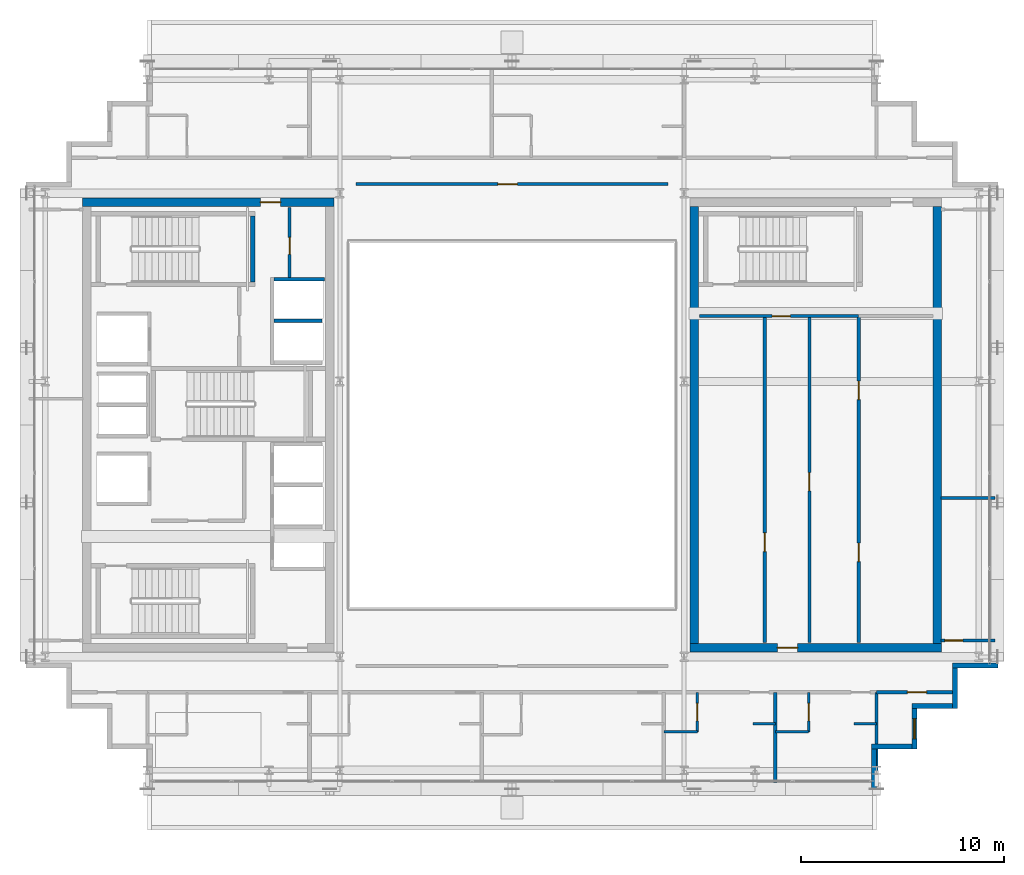
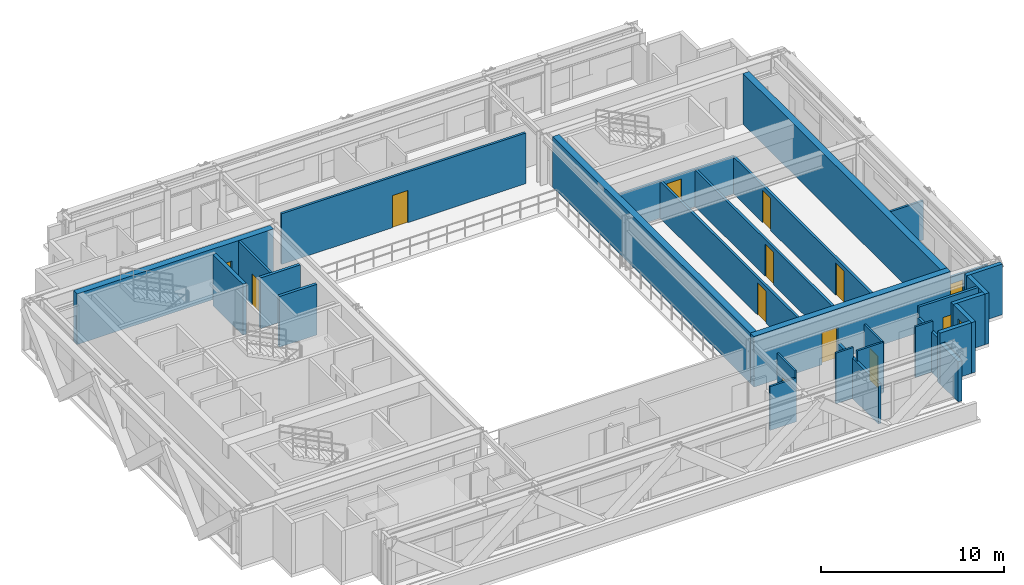
# One storey, part 21 of 27: 30 walls, 13 doors, 1 window, 14 openings.
"""IFC4 building model written with IfcOpenShell, lengths in metres."""

from ifc_helpers import new_model, si_unit, direction, frame, frame_2d, origin, place, context, subcontext, project, spatial, rectangle, extrude, source, transform, mapped, material, layer, layer_set, type_object, element, fill, save


model = new_model("IFC4")

# Units and contexts
model_context = context("Model", 3, precision=1e-05, world=origin(), true_north=direction((0.0, 1.0)))
body_context = subcontext(model_context, "Body", "Model", "MODEL_VIEW")
ifc_project = project(units=[si_unit("LENGTHUNIT", "METRE"), si_unit("AREAUNIT", "SQUARE_METRE"), si_unit("VOLUMEUNIT", "CUBIC_METRE"), si_unit("PLANEANGLEUNIT", "RADIAN"), si_unit("MASSUNIT", "GRAM", prefix="KILO")], contexts=[model_context])

# Site, building, storey
site_placement = place(None, origin())
site = spatial("IfcSite", under=ifc_project, at=site_placement, CompositionType="ELEMENT")
building_placement = place(site_placement, origin())
building = spatial("IfcBuilding", under=site, at=building_placement, Name="Ocotamira Hotel", CompositionType="ELEMENT")
storey_placement = place(building_placement, frame((0.0, 0.0, 232.800048828125)))
storey = spatial("IfcBuildingStorey", under=building, at=storey_placement, Name="L58", CompositionType="ELEMENT", Elevation=232.800048828125)

# Wall, opening, door
ifc_material_1 = material(Name="Concrete C50/60", Category="concrete")
ifc_layer_1 = layer(ifc_material_1, 0.39990234375)
ifc_layer_set_1 = layer_set([ifc_layer_1], Name="Concrete C50/60")
wall_type_1 = type_object("IfcWallType", Name="WL-CORE-400", PredefinedType="SHEAR", material=ifc_layer_set_1)
wall_1_placement = place(storey_placement, frame((10.800048828125, 37.0, 0.0), z_axis=(0.0, 0.0, 1.0), x_axis=(1.0, 0.0, 0.0)))
wall_1 = element("IfcWall", 1, at=wall_1_placement, inside=storey, type_object=wall_type_1, Name="L58 Shear Core Wall WCORE-N", PredefinedType="SHEAR", context=body_context, shape_type="SweptSolid", body=[
    extrude(rectangle(XDim=12.39990234375, YDim=0.39990234375, at=frame_2d((6.199951171875, 0.0))), origin(), (0.0, 0.0, 1.0), 3.3798828125),
])
opening_1_placement = place(wall_1_placement, frame((8.780029296875, 0.0, 0.0)))
opening_1 = element("IfcOpeningElement", 2, at=opening_1_placement, cuts=wall_1, Name="Opening D-FR2", PredefinedType="OPENING", context=body_context, shape_type="SweptSolid", body=[
    extrude(rectangle(XDim=1.0, YDim=2.14990234375, at=frame_2d((0.5, 1.074951171875))), frame((0.0, 0.2099609375, 0.0), z_axis=(0.0, -1.0, 0.0), x_axis=(1.0, 0.0, 0.0)), (0.0, 0.0, 1.0), 0.419921875),
])
ifc_material_2 = material(Name="Fire-rated acoustic timber-veneer door", Category="wood")
door_type_1 = type_object("IfcDoorType", Name="DR-FIRE-1000", OperationType="NOTDEFINED", PredefinedType="DOOR", material=ifc_material_2)
shared_shape_1 = source(origin(), body_context, "Body", "SweptSolid", [
    extrude(rectangle(XDim=1.0, YDim=2.14990234375, at=frame_2d((0.5, 1.074951171875))), frame((0.0, 0.02490234375, 0.0), z_axis=(0.0, -1.0, 0.0), x_axis=(1.0, 0.0, 0.0)), (0.0, 0.0, 1.0), 0.050048828125),
])
door_1_placement = place(opening_1_placement, origin())
door_1 = element("IfcDoor", 3, at=door_1_placement, inside=storey, type_object=door_type_1, Name="L58 Door ID-L58-WLOB-N-D [ID-L58-WLOB-N-D]", OperationType="SINGLE_SWING_RIGHT", OverallHeight=2.14990234375, OverallWidth=1.0, PredefinedType="DOOR", context=body_context, shape_type="MappedRepresentation", body=[
    mapped(shared_shape_1, transform((0.0, 0.0, 0.0), scale=1.0)),
])
fill(opening_1, door_1)

wall_2_placement = place(storey_placement, frame((40.800048828125, 15.0, 0.0), z_axis=(0.0, 0.0, 1.0), x_axis=(1.0, 0.0, 0.0)))
wall_2 = element("IfcWall", 4, at=wall_2_placement, inside=storey, type_object=wall_type_1, Name="L58 Shear Core Wall ECORE-S", PredefinedType="SHEAR", context=body_context, shape_type="SweptSolid", body=[
    extrude(rectangle(XDim=12.39990234375, YDim=0.39990234375, at=frame_2d((6.199951171875, 0.0))), origin(), (0.0, 0.0, 1.0), 3.3798828125),
])
opening_2_placement = place(wall_2_placement, frame((4.300048828125, 0.0, 0.0)))
opening_2 = element("IfcOpeningElement", 5, at=opening_2_placement, cuts=wall_2, Name="Opening D-FR2", PredefinedType="OPENING", context=body_context, shape_type="SweptSolid", body=[
    extrude(rectangle(XDim=1.0, YDim=2.14990234375, at=frame_2d((0.5, 1.074951171875))), frame((0.0, 0.2099609375, 0.0), z_axis=(0.0, -1.0, 0.0), x_axis=(1.0, 0.0, 0.0)), (0.0, 0.0, 1.0), 0.419921875),
])
door_2_placement = place(opening_2_placement, origin())
door_2 = element("IfcDoor", 6, at=door_2_placement, inside=storey, type_object=door_type_1, Name="L58 Door ID-L58-ELOB-S-D [ID-L58-ELOB-S-D]", OperationType="SINGLE_SWING_RIGHT", OverallHeight=2.14990234375, OverallWidth=1.0, PredefinedType="DOOR", context=body_context, shape_type="MappedRepresentation", body=[
    mapped(shared_shape_1, transform((0.0, 0.0, 0.0), scale=1.0)),
])
fill(opening_2, door_2)

# Walls
for number, where, z_axis, x_axis, name in (
    (7, (41.0, 15.199951171875, 0.0), (0.0, 0.0, 1.0), (0.0, 1.0, 0.0), "L58 Shear Core Wall ECORE-W"),
    (8, (53.0, 15.199951171875, 0.0), (0.0, 0.0, 1.0), (0.0, 1.0, 0.0), "L58 Shear Core Wall ECORE-E"),
):
    element("IfcWall", number, at=place(storey_placement, frame(where, z_axis=z_axis, x_axis=x_axis)), inside=storey, type_object=wall_type_1, Name=name, PredefinedType="SHEAR", context=body_context, shape_type="SweptSolid", body=[
        extrude(rectangle(XDim=21.60009765625, YDim=0.39990234375, at=frame_2d((10.800048828125, 0.0))), origin(), (0.0, 0.0, 1.0), 3.3798828125),
    ])
ifc_material_3 = material(Name="Precast concrete C45/55", Category="concrete")
ifc_layer_2 = layer(ifc_material_3, 0.25)
ifc_layer_set_2 = layer_set([ifc_layer_2], Name="Precast concrete C45/55")
wall_type_2 = type_object("IfcWallType", Name="WL-EXT-SER-250", PredefinedType="SOLIDWALL", material=ifc_layer_set_2)
wall_3_placement = place(storey_placement, frame((49.875, 8.0, 0.0), z_axis=(0.0, 0.0, 1.0), x_axis=(0.0, 1.0, 0.0)))
element("IfcWall", 9, at=wall_3_placement, inside=storey, type_object=wall_type_2, Name="L58 Serrated Corner Wall 01", PredefinedType="SOLIDWALL", context=body_context, shape_type="SweptSolid", body=[
    extrude(rectangle(XDim=2.0, YDim=0.25, at=frame_2d((1.0, 0.0))), origin(), (0.0, 0.0, 1.0), 2.68701171875),
])
wall_4_placement = place(storey_placement, frame((49.75, 10.125, 0.0), z_axis=(0.0, 0.0, 1.0), x_axis=(1.0, 0.0, 0.0)))
element("IfcWall", 10, at=wall_4_placement, inside=storey, type_object=wall_type_2, Name="L58 Serrated Corner Wall 02", PredefinedType="SOLIDWALL", context=body_context, shape_type="SweptSolid", body=[
    extrude(rectangle(XDim=2.0, YDim=0.25, at=frame_2d((1.0, 0.0))), origin(), (0.0, 0.0, 1.0), 3.3798828125),
])

# Wall, opening, window
wall_5_placement = place(storey_placement, frame((51.875, 10.0, 0.0), z_axis=(0.0, 0.0, 1.0), x_axis=(0.0, 1.0, 0.0)))
wall_5 = element("IfcWall", 11, at=wall_5_placement, inside=storey, type_object=wall_type_2, Name="L58 Serrated Corner Wall 03", PredefinedType="SOLIDWALL", context=body_context, shape_type="SweptSolid", body=[
    extrude(rectangle(XDim=2.0, YDim=0.25, at=frame_2d((1.0, 0.0))), origin(), (0.0, 0.0, 1.0), 3.3798828125),
])
opening_3_placement = place(wall_5_placement, frame((0.5, 0.0, 0.85009765625)))
opening_3 = element("IfcOpeningElement", 12, at=opening_3_placement, cuts=wall_5, Name="Opening WN-2", PredefinedType="OPENING", context=body_context, shape_type="SweptSolid", body=[
    extrude(rectangle(XDim=1.0, YDim=1.89990234375, at=frame_2d((0.5, 0.949951171875))), frame((0.0, 0.135009765625, 0.0), z_axis=(0.0, -1.0, 0.0), x_axis=(1.0, 0.0, 0.0)), (0.0, 0.0, 1.0), 0.27001953125),
])
ifc_material_4 = material(Name="Double-silver low-E solar glass", Category="glass")
window_type = type_object("IfcWindowType", Name="WIN-SER-1100", PartitioningType="SINGLE_PANEL", PredefinedType="WINDOW", material=ifc_material_4)
shared_shape_2 = source(origin(), body_context, "Body", "SweptSolid", [
    extrude(rectangle(XDim=1.0, YDim=1.89990234375, at=frame_2d((0.5, 0.949951171875))), frame((0.0, 0.030029296875, 0.0), z_axis=(0.0, -1.0, 0.0), x_axis=(1.0, 0.0, 0.0)), (0.0, 0.0, 1.0), 0.06005859375),
])
window_placement = place(opening_3_placement, origin())
window = element("IfcWindow", 13, at=window_placement, inside=storey, type_object=window_type, Name="L58 Serrated Corner Window 03", OverallHeight=1.89990234375, OverallWidth=1.0, PartitioningType="SINGLE_PANEL", PredefinedType="WINDOW", context=body_context, shape_type="MappedRepresentation", body=[
    mapped(shared_shape_2, transform((0.0, 0.0, 0.0), scale=1.0)),
])
fill(opening_3, window)

# Walls
for number, where, z_axis, x_axis, name in (
    (14, (51.75, 12.125, 0.0), (0.0, 0.0, 1.0), (1.0, 0.0, 0.0), "L58 Serrated Corner Wall 04"),
    (15, (53.875, 12.0, 0.0), (0.0, 0.0, 1.0), (0.0, 1.0, 0.0), "L58 Serrated Corner Wall 05"),
):
    element("IfcWall", number, at=place(storey_placement, frame(where, z_axis=z_axis, x_axis=x_axis)), inside=storey, type_object=wall_type_2, Name=name, PredefinedType="SOLIDWALL", context=body_context, shape_type="SweptSolid", body=[
        extrude(rectangle(XDim=2.0, YDim=0.25, at=frame_2d((1.0, 0.0))), origin(), (0.0, 0.0, 1.0), 3.3798828125),
    ])
wall_6_placement = place(storey_placement, frame((53.75, 14.125, 0.0), z_axis=(0.0, 0.0, 1.0), x_axis=(1.0, 0.0, 0.0)))
element("IfcWall", 16, at=wall_6_placement, inside=storey, type_object=wall_type_2, Name="L58 Serrated Corner Wall 06", PredefinedType="SOLIDWALL", context=body_context, shape_type="SweptSolid", body=[
    extrude(rectangle(XDim=2.25, YDim=0.25, at=frame_2d((1.125, 0.0))), origin(), (0.0, 0.0, 1.0), 3.3798828125),
])

# Wall, openings, doors
ifc_material_5 = material(Name="Acoustic double-layer fire gypsum board partition", Category="gypsum")
ifc_layer_3 = layer(ifc_material_5, 0.159912109375)
ifc_layer_set_3 = layer_set([ifc_layer_3], Name="Acoustic double-layer fire gypsum board partition")
wall_type_3 = type_object("IfcWallType", Name="WL-FIRE-160", PredefinedType="PARTITIONING", material=ifc_layer_set_3)
wall_7_placement = place(storey_placement, frame((49.1201171875, 15.25, 0.0), z_axis=(0.0, 0.0, 1.0), x_axis=(0.0, 1.0, 0.0)))
wall_7 = element("IfcWall", 17, at=wall_7_placement, inside=storey, type_object=wall_type_3, Name="L58 Interior Wall PW-L58-EC-FLOW-W", PredefinedType="PARTITIONING", context=body_context, shape_type="SweptSolid", body=[
    extrude(rectangle(XDim=16.1298828125, YDim=0.159912109375, at=frame_2d((8.06494140625, 0.0))), origin(), (0.0, 0.0, 1.0), 2.452880859375),
])
opening_4_placement = place(wall_7_placement, frame((4.0, 0.0, 0.0)))
opening_4 = element("IfcOpeningElement", 18, at=opening_4_placement, cuts=wall_7, Name="Opening D-SV3", PredefinedType="OPENING", context=body_context, shape_type="SweptSolid", body=[
    extrude(rectangle(XDim=0.919921875, YDim=2.14990234375, at=frame_2d((0.4599609375, 1.074951171875))), frame((0.0, 0.08984375, 0.0), z_axis=(0.0, -1.0, 0.0), x_axis=(1.0, 0.0, 0.0)), (0.0, 0.0, 1.0), 0.179931640625),
])
opening_5_placement = place(wall_7_placement, frame((12.0, 0.0, 0.0)))
opening_5 = element("IfcOpeningElement", 19, at=opening_5_placement, cuts=wall_7, Name="Opening D-SV3", PredefinedType="OPENING", context=body_context, shape_type="SweptSolid", body=[
    extrude(rectangle(XDim=0.919921875, YDim=2.14990234375, at=frame_2d((0.4599609375, 1.074951171875))), frame((0.0, 0.08984375, 0.0), z_axis=(0.0, -1.0, 0.0), x_axis=(1.0, 0.0, 0.0)), (0.0, 0.0, 1.0), 0.179931640625),
])
ifc_material_6 = material(Name="Fire-rated walnut hospitality door", Category="wood")
door_type_2 = type_object("IfcDoorType", Name="DR-SERV-920", OperationType="NOTDEFINED", PredefinedType="DOOR", material=ifc_material_6)
shared_shape_3 = source(origin(), body_context, "Body", "SweptSolid", [
    extrude(rectangle(XDim=0.919921875, YDim=2.14990234375, at=frame_2d((0.4599609375, 1.074951171875))), frame((0.0, 0.02490234375, 0.0), z_axis=(0.0, -1.0, 0.0), x_axis=(1.0, 0.0, 0.0)), (0.0, 0.0, 1.0), 0.050048828125),
])
door_3_placement = place(opening_4_placement, origin())
door_3 = element("IfcDoor", 20, at=door_3_placement, inside=storey, type_object=door_type_2, Name="L58 Door ID-L58-EC-FLOW-D1 [ID-L58-EC-FLOW-D1]", OperationType="SINGLE_SWING_LEFT", OverallHeight=2.14990234375, OverallWidth=0.919921875, PredefinedType="DOOR", context=body_context, shape_type="MappedRepresentation", body=[
    mapped(shared_shape_3, transform((0.0, 0.0, 0.0), scale=1.0)),
])
fill(opening_4, door_3)
door_4_placement = place(opening_5_placement, origin())
door_4 = element("IfcDoor", 21, at=door_4_placement, inside=storey, type_object=door_type_2, Name="L58 Door ID-L58-EC-FLOW-D2 [ID-L58-EC-FLOW-D2]", OperationType="SINGLE_SWING_RIGHT", OverallHeight=2.14990234375, OverallWidth=0.919921875, PredefinedType="DOOR", context=body_context, shape_type="MappedRepresentation", body=[
    mapped(shared_shape_3, transform((0.0, 0.0, 0.0), scale=1.0)),
])
fill(opening_5, door_4)

# Wall, opening, door
wall_8_placement = place(storey_placement, frame((50.0, 12.800048828125, 0.0), z_axis=(0.0, 0.0, 1.0), x_axis=(1.0, 0.0, 0.0)))
wall_8 = element("IfcWall", 22, at=wall_8_placement, inside=storey, type_object=wall_type_3, Name="L58 Interior Wall PW-L58-Z4CSE-CW", PredefinedType="PARTITIONING", context=body_context, shape_type="SweptSolid", body=[
    extrude(rectangle(XDim=4.0, YDim=0.159912109375, at=frame_2d((2.0, 0.0))), origin(), (0.0, 0.0, 1.0), 3.3798828125),
])
opening_6_placement = place(wall_8_placement, frame((1.52001953125, 0.0, 0.0)))
opening_6 = element("IfcOpeningElement", 23, at=opening_6_placement, cuts=wall_8, Name="Opening D-SV4", PredefinedType="OPENING", context=body_context, shape_type="SweptSolid", body=[
    extrude(rectangle(XDim=0.9599609375, YDim=2.14990234375, at=frame_2d((0.47998046875, 1.074951171875))), frame((0.0, 0.08984375, 0.0), z_axis=(0.0, -1.0, 0.0), x_axis=(1.0, 0.0, 0.0)), (0.0, 0.0, 1.0), 0.179931640625),
])
ifc_material_7 = material(Name="Fire-rated accessible walnut salon door", Category="wood")
door_type_3 = type_object("IfcDoorType", Name="DR-SERV-960", OperationType="NOTDEFINED", PredefinedType="DOOR", material=ifc_material_7)
shared_shape_4 = source(origin(), body_context, "Body", "SweptSolid", [
    extrude(rectangle(XDim=0.9599609375, YDim=2.14990234375, at=frame_2d((0.47998046875, 1.074951171875))), frame((0.0, 0.02490234375, 0.0), z_axis=(0.0, -1.0, 0.0), x_axis=(1.0, 0.0, 0.0)), (0.0, 0.0, 1.0), 0.050048828125),
])
door_5_placement = place(opening_6_placement, origin())
door_5 = element("IfcDoor", 24, at=door_5_placement, inside=storey, type_object=door_type_3, Name="L58 Door ID-L58-Z4CSE-CD [ID-L58-Z4CSE-CD]", OperationType="SINGLE_SWING_LEFT", OverallHeight=2.14990234375, OverallWidth=0.9599609375, PredefinedType="DOOR", context=body_context, shape_type="MappedRepresentation", body=[
    mapped(shared_shape_4, transform((0.0, 0.0, 0.0), scale=1.0)),
])
fill(opening_6, door_5)

ifc_material_8 = material(Name="Moisture-resistant en-suite tile and gypsum partition", Category="gypsum")
ifc_layer_4 = layer(ifc_material_8, 0.1201171875)
ifc_layer_set_4 = layer_set([ifc_layer_4], Name="Moisture-resistant en-suite tile and gypsum partition")
wall_type_4 = type_object("IfcWallType", Name="WL-PART-120", PredefinedType="PARTITIONING", material=ifc_layer_set_4)
wall_9_placement = place(storey_placement, frame((41.14990234375, 10.85009765625, 0.0), z_axis=(0.0, 0.0, 1.0), x_axis=(0.0, 1.0, 0.0)))
wall_9 = element("IfcWall", 25, at=wall_9_placement, inside=storey, type_object=wall_type_4, Name="L58 Interior Wall PW-L58-Z4AS-BAE4", PredefinedType="PARTITIONING", context=body_context, shape_type="SweptSolid", body=[
    extrude(rectangle(XDim=1.949951171875, YDim=0.1201171875, at=frame_2d((0.97509765625, 0.0))), origin(), (0.0, 0.0, 1.0), 3.3798828125),
])
opening_7_placement = place(wall_9_placement, frame((0.544921875, 0.0, 0.0)))
opening_7 = element("IfcOpeningElement", 26, at=opening_7_placement, cuts=wall_9, Name="Opening D-BA1", PredefinedType="OPENING", context=body_context, shape_type="SweptSolid", body=[
    extrude(rectangle(XDim=0.860107421875, YDim=2.10009765625, at=frame_2d((0.43017578125, 1.050048828125))), frame((0.0, 0.070068359375, 0.0), z_axis=(0.0, -1.0, 0.0), x_axis=(1.0, 0.0, 0.0)), (0.0, 0.0, 1.0), 0.14013671875),
])
ifc_material_9 = material(Name="Moisture-sealed en-suite timber door", Category="wood")
door_type_4 = type_object("IfcDoorType", Name="DR-BATH-860", OperationType="NOTDEFINED", PredefinedType="DOOR", material=ifc_material_9)
shared_shape_5 = source(origin(), body_context, "Body", "SweptSolid", [
    extrude(rectangle(XDim=0.860107421875, YDim=2.10009765625, at=frame_2d((0.43017578125, 1.050048828125))), frame((0.0, 0.02490234375, 0.0), z_axis=(0.0, -1.0, 0.0), x_axis=(1.0, 0.0, 0.0)), (0.0, 0.0, 1.0), 0.050048828125),
])
door_6_placement = place(opening_7_placement, origin())
door_6 = element("IfcDoor", 27, at=door_6_placement, inside=storey, type_object=door_type_4, Name="L58 Door ID-L58-Z4AS-BAD4 [ID-L58-Z4AS-BAD4]", OperationType="SINGLE_SWING_LEFT", OverallHeight=2.10009765625, OverallWidth=0.860107421875, PredefinedType="DOOR", context=body_context, shape_type="MappedRepresentation", body=[
    mapped(shared_shape_5, transform((0.0, 0.0, 0.0), scale=1.0)),
])
fill(opening_7, door_6)

# Walls
wall_10_placement = place(storey_placement, frame((39.5, 10.85009765625, 0.0), z_axis=(0.0, 0.0, 1.0), x_axis=(1.0, 0.0, 0.0)))
element("IfcWall", 28, at=wall_10_placement, inside=storey, type_object=wall_type_4, Name="L58 Interior Wall PW-L58-Z4AS-BAS4", PredefinedType="PARTITIONING", context=body_context, shape_type="SweptSolid", body=[
    extrude(rectangle(XDim=1.64990234375, YDim=0.1201171875, at=frame_2d((0.824951171875, 0.0))), origin(), (0.0, 0.0, 1.0), 2.9228515625),
])
wall_11_placement = place(storey_placement, frame((43.89990234375, 11.25, 0.0), z_axis=(0.0, 0.0, 1.0), x_axis=(1.0, 0.0, 0.0)))
element("IfcWall", 29, at=wall_11_placement, inside=storey, type_object=wall_type_4, Name="L58 Interior Wall PW-L58-Z4AS-DRN4", PredefinedType="PARTITIONING", context=body_context, shape_type="SweptSolid", body=[
    extrude(rectangle(XDim=1.10009765625, YDim=0.1201171875, at=frame_2d((0.550048828125, 0.0))), origin(), (0.0, 0.0, 1.0), 3.3798828125),
])

# Wall, opening, door
wall_12_placement = place(storey_placement, frame((46.64990234375, 10.85009765625, 0.0), z_axis=(0.0, 0.0, 1.0), x_axis=(0.0, 1.0, 0.0)))
wall_12 = element("IfcWall", 30, at=wall_12_placement, inside=storey, type_object=wall_type_4, Name="L58 Interior Wall PW-L58-Z4AS-BAE5", PredefinedType="PARTITIONING", context=body_context, shape_type="SweptSolid", body=[
    extrude(rectangle(XDim=1.949951171875, YDim=0.1201171875, at=frame_2d((0.97509765625, 0.0))), origin(), (0.0, 0.0, 1.0), 3.3798828125),
])
opening_8_placement = place(wall_12_placement, frame((0.544921875, 0.0, 0.0)))
opening_8 = element("IfcOpeningElement", 31, at=opening_8_placement, cuts=wall_12, Name="Opening D-BA1", PredefinedType="OPENING", context=body_context, shape_type="SweptSolid", body=[
    extrude(rectangle(XDim=0.860107421875, YDim=2.10009765625, at=frame_2d((0.43017578125, 1.050048828125))), frame((0.0, 0.070068359375, 0.0), z_axis=(0.0, -1.0, 0.0), x_axis=(1.0, 0.0, 0.0)), (0.0, 0.0, 1.0), 0.14013671875),
])
door_7_placement = place(opening_8_placement, origin())
door_7 = element("IfcDoor", 32, at=door_7_placement, inside=storey, type_object=door_type_4, Name="L58 Door ID-L58-Z4AS-BAD5 [ID-L58-Z4AS-BAD5]", OperationType="SINGLE_SWING_RIGHT", OverallHeight=2.10009765625, OverallWidth=0.860107421875, PredefinedType="DOOR", context=body_context, shape_type="MappedRepresentation", body=[
    mapped(shared_shape_5, transform((0.0, 0.0, 0.0), scale=1.0)),
])
fill(opening_8, door_7)

# Walls
wall_13_placement = place(storey_placement, frame((45.0, 10.85009765625, 0.0), z_axis=(0.0, 0.0, 1.0), x_axis=(1.0, 0.0, 0.0)))
element("IfcWall", 33, at=wall_13_placement, inside=storey, type_object=wall_type_4, Name="L58 Interior Wall PW-L58-Z4AS-BAS5", PredefinedType="PARTITIONING", context=body_context, shape_type="SweptSolid", body=[
    extrude(rectangle(XDim=1.64990234375, YDim=0.1201171875, at=frame_2d((0.824951171875, 0.0))), origin(), (0.0, 0.0, 1.0), 3.3798828125),
])
wall_14_placement = place(storey_placement, frame((48.89990234375, 11.25, 0.0), z_axis=(0.0, 0.0, 1.0), x_axis=(1.0, 0.0, 0.0)))
element("IfcWall", 34, at=wall_14_placement, inside=storey, type_object=wall_type_4, Name="L58 Interior Wall PW-L58-Z4AS-DRN5", PredefinedType="PARTITIONING", context=body_context, shape_type="SweptSolid", body=[
    extrude(rectangle(XDim=1.10009765625, YDim=0.1201171875, at=frame_2d((0.550048828125, 0.0))), origin(), (0.0, 0.0, 1.0), 3.3798828125),
])

# Wall, opening, door
ifc_material_10 = material(Name="Acoustic hospitality gypsum board partition", Category="gypsum")
ifc_layer_5 = layer(ifc_material_10, 0.14208984375)
ifc_layer_set_5 = layer_set([ifc_layer_5], Name="Acoustic hospitality gypsum board partition")
wall_type_5 = type_object("IfcWallType", Name="WL-PART-142", PredefinedType="PARTITIONING", material=ifc_layer_set_5)
wall_15_placement = place(storey_placement, frame((21.02001953125, 33.280029296875, 0.0), z_axis=(0.0, 0.0, 1.0), x_axis=(0.0, 1.0, 0.0)))
wall_15 = element("IfcWall", 35, at=wall_15_placement, inside=storey, type_object=wall_type_5, Name="L58 Interior Wall PW-L58-WC-NE-W", PredefinedType="PARTITIONING", context=body_context, shape_type="SweptSolid", body=[
    extrude(rectangle(XDim=3.469970703125, YDim=0.14208984375, at=frame_2d((1.73486328125, 0.0))), origin(), (0.0, 0.0, 1.0), 3.3798828125),
])
opening_9_placement = place(wall_15_placement, frame((1.14990234375, 0.0, 0.0)))
opening_9 = element("IfcOpeningElement", 36, at=opening_9_placement, cuts=wall_15, Name="Opening D-SV1", PredefinedType="OPENING", context=body_context, shape_type="SweptSolid", body=[
    extrude(rectangle(XDim=0.840087890625, YDim=2.10009765625, at=frame_2d((0.419921875, 1.050048828125))), frame((0.0, 0.0810546875, 0.0), z_axis=(0.0, -1.0, 0.0), x_axis=(1.0, 0.0, 0.0)), (0.0, 0.0, 1.0), 0.162109375),
])
ifc_material_11 = material(Name="Fire-rated painted steel service door", Category="steel")
door_type_5 = type_object("IfcDoorType", Name="DR-SERV-840", OperationType="NOTDEFINED", PredefinedType="DOOR", material=ifc_material_11)
shared_shape_6 = source(origin(), body_context, "Body", "SweptSolid", [
    extrude(rectangle(XDim=0.840087890625, YDim=2.10009765625, at=frame_2d((0.419921875, 1.050048828125))), frame((0.0, 0.02490234375, 0.0), z_axis=(0.0, -1.0, 0.0), x_axis=(1.0, 0.0, 0.0)), (0.0, 0.0, 1.0), 0.050048828125),
])
door_8_placement = place(opening_9_placement, origin())
door_8 = element("IfcDoor", 37, at=door_8_placement, inside=storey, type_object=door_type_5, Name="L58 Door ID-L58-WC-NE-D [ID-L58-WC-NE-D]", OperationType="SINGLE_SWING_LEFT", OverallHeight=2.10009765625, OverallWidth=0.840087890625, PredefinedType="DOOR", context=body_context, shape_type="MappedRepresentation", body=[
    mapped(shared_shape_6, transform((0.0, 0.0, 0.0), scale=1.0)),
])
fill(opening_9, door_8)

# Wall
wall_16_placement = place(storey_placement, frame((53.179931640625, 22.39990234375, 0.0), z_axis=(0.0, 0.0, 1.0), x_axis=(1.0, 0.0, 0.0)))
element("IfcWall", 38, at=wall_16_placement, inside=storey, type_object=wall_type_5, Name="L58 Interior Wall PW-L58-Z4AE-DV1", PredefinedType="PARTITIONING", context=body_context, shape_type="SweptSolid", body=[
    extrude(rectangle(XDim=2.66015625, YDim=0.14208984375, at=frame_2d((1.330078125, 0.0))), origin(), (0.0, 0.0, 1.0), 2.600830078125),
])

# Wall, opening, door
ifc_layer_6 = layer(ifc_material_10, 0.14990234375)
ifc_layer_set_6 = layer_set([ifc_layer_6], Name="Acoustic hospitality gypsum board partition")
wall_type_6 = type_object("IfcWallType", Name="WL-PART-150", PredefinedType="PARTITIONING", material=ifc_layer_set_6)
wall_17_placement = place(storey_placement, frame((41.25, 31.3798828125, 0.0), z_axis=(0.0, 0.0, 1.0), x_axis=(1.0, 0.0, 0.0)))
wall_17 = element("IfcWall", 39, at=wall_17_placement, inside=storey, type_object=wall_type_6, Name="L58 Interior Wall PW-L58-EC-HMT-N", PredefinedType="PARTITIONING", context=body_context, shape_type="SweptSolid", body=[
    extrude(rectangle(XDim=7.8701171875, YDim=0.14990234375, at=frame_2d((3.93505859375, 0.0))), origin(), (0.0, 0.0, 1.0), 2.47998046875),
])
opening_10_placement = place(wall_17_placement, frame((3.60009765625, 0.0, 0.0)))
opening_10 = element("IfcOpeningElement", 40, at=opening_10_placement, cuts=wall_17, Name="Opening D-IN3", PredefinedType="OPENING", context=body_context, shape_type="SweptSolid", body=[
    extrude(rectangle(XDim=0.89990234375, YDim=2.14990234375, at=frame_2d((0.449951171875, 1.074951171875))), frame((0.0, 0.0849609375, 0.0), z_axis=(0.0, -1.0, 0.0), x_axis=(1.0, 0.0, 0.0)), (0.0, 0.0, 1.0), 0.169921875),
])
ifc_material_12 = material(Name="Painted service room door", Category="steel")
door_type_6 = type_object("IfcDoorType", Name="DR-INT-900", OperationType="NOTDEFINED", PredefinedType="DOOR", material=ifc_material_12)
shared_shape_7 = source(origin(), body_context, "Body", "SweptSolid", [
    extrude(rectangle(XDim=0.89990234375, YDim=2.14990234375, at=frame_2d((0.449951171875, 1.074951171875))), frame((0.0, 0.02490234375, 0.0), z_axis=(0.0, -1.0, 0.0), x_axis=(1.0, 0.0, 0.0)), (0.0, 0.0, 1.0), 0.050048828125),
])
door_9_placement = place(opening_10_placement, origin())
door_9 = element("IfcDoor", 41, at=door_9_placement, inside=storey, type_object=door_type_6, Name="L58 Door ID-L58-EC-MGALD [ID-L58-EC-MGALD]", OperationType="SINGLE_SWING_LEFT", OverallHeight=2.14990234375, OverallWidth=0.89990234375, PredefinedType="DOOR", context=body_context, shape_type="MappedRepresentation", body=[
    mapped(shared_shape_7, transform((0.0, 0.0, 0.0), scale=1.0)),
])
fill(opening_10, door_9)

wall_18_placement = place(storey_placement, frame((46.679931640625, 15.25, 0.0), z_axis=(0.0, 0.0, 1.0), x_axis=(0.0, 1.0, 0.0)))
wall_18 = element("IfcWall", 42, at=wall_18_placement, inside=storey, type_object=wall_type_6, Name="L58 Interior Wall PW-L58-EC-HMT-W", PredefinedType="PARTITIONING", context=body_context, shape_type="SweptSolid", body=[
    extrude(rectangle(XDim=16.1298828125, YDim=0.14990234375, at=frame_2d((8.06494140625, 0.0))), origin(), (0.0, 0.0, 1.0), 2.452880859375),
])
opening_11_placement = place(wall_18_placement, frame((7.5, 0.0, 0.0)))
opening_11 = element("IfcOpeningElement", 43, at=opening_11_placement, cuts=wall_18, Name="Opening D-IN3", PredefinedType="OPENING", context=body_context, shape_type="SweptSolid", body=[
    extrude(rectangle(XDim=0.89990234375, YDim=2.14990234375, at=frame_2d((0.449951171875, 1.074951171875))), frame((0.0, 0.0849609375, 0.0), z_axis=(0.0, -1.0, 0.0), x_axis=(1.0, 0.0, 0.0)), (0.0, 0.0, 1.0), 0.169921875),
])
door_10_placement = place(opening_11_placement, origin())
door_10 = element("IfcDoor", 44, at=door_10_placement, inside=storey, type_object=door_type_6, Name="L58 Door ID-L58-EC-HMTD [ID-L58-EC-HMTD]", OperationType="SINGLE_SWING_RIGHT", OverallHeight=2.14990234375, OverallWidth=0.89990234375, PredefinedType="DOOR", context=body_context, shape_type="MappedRepresentation", body=[
    mapped(shared_shape_7, transform((0.0, 0.0, 0.0), scale=1.0)),
])
fill(opening_11, door_10)

wall_19_placement = place(storey_placement, frame((44.47998046875, 15.25, 0.0), z_axis=(0.0, 0.0, 1.0), x_axis=(0.0, 1.0, 0.0)))
wall_19 = element("IfcWall", 45, at=wall_19_placement, inside=storey, type_object=wall_type_6, Name="L58 Interior Wall PW-L58-EC-FMID-E", PredefinedType="PARTITIONING", context=body_context, shape_type="SweptSolid", body=[
    extrude(rectangle(XDim=16.1298828125, YDim=0.14990234375, at=frame_2d((8.06494140625, 0.0))), origin(), (0.0, 0.0, 1.0), 2.452880859375),
])
opening_12_placement = place(wall_19_placement, frame((4.5, 0.0, 0.0)))
opening_12 = element("IfcOpeningElement", 46, at=opening_12_placement, cuts=wall_19, Name="Opening D-SV3", PredefinedType="OPENING", context=body_context, shape_type="SweptSolid", body=[
    extrude(rectangle(XDim=0.919921875, YDim=2.14990234375, at=frame_2d((0.4599609375, 1.074951171875))), frame((0.0, 0.0849609375, 0.0), z_axis=(0.0, -1.0, 0.0), x_axis=(1.0, 0.0, 0.0)), (0.0, 0.0, 1.0), 0.169921875),
])
door_11_placement = place(opening_12_placement, origin())
door_11 = element("IfcDoor", 47, at=door_11_placement, inside=storey, type_object=door_type_2, Name="L58 Door ID-L58-EC-FMID-D1 [ID-L58-EC-FMID-D1]", OperationType="SINGLE_SWING_RIGHT", OverallHeight=2.14990234375, OverallWidth=0.919921875, PredefinedType="DOOR", context=body_context, shape_type="MappedRepresentation", body=[
    mapped(shared_shape_3, transform((0.0, 0.0, 0.0), scale=1.0)),
])
fill(opening_12, door_11)

wall_20_placement = place(storey_placement, frame((24.300048828125, 37.89990234375, 0.0), z_axis=(0.0, 0.0, 1.0), x_axis=(1.0, 0.0, 0.0)))
wall_20 = element("IfcWall", 48, at=wall_20_placement, inside=storey, type_object=wall_type_6, Name="L58 Interior Wall PW-L58-Z4A-ATRNS", PredefinedType="PARTITIONING", context=body_context, shape_type="SweptSolid", body=[
    extrude(rectangle(XDim=15.39990234375, YDim=0.14990234375, at=frame_2d((7.699951171875, 0.0))), origin(), (0.0, 0.0, 1.0), 3.3798828125),
])
opening_13_placement = place(wall_20_placement, frame((7.0, 0.0, 0.0)))
opening_13 = element("IfcOpeningElement", 49, at=opening_13_placement, cuts=wall_20, Name="Opening D-SV4", PredefinedType="OPENING", context=body_context, shape_type="SweptSolid", body=[
    extrude(rectangle(XDim=0.9599609375, YDim=2.14990234375, at=frame_2d((0.47998046875, 1.074951171875))), frame((0.0, 0.0849609375, 0.0), z_axis=(0.0, -1.0, 0.0), x_axis=(1.0, 0.0, 0.0)), (0.0, 0.0, 1.0), 0.169921875),
])
door_12_placement = place(opening_13_placement, origin())
door_12 = element("IfcDoor", 50, at=door_12_placement, inside=storey, type_object=door_type_3, Name="L58 Door ID-L58-Z4A-ATRND [ID-L58-Z4A-ATRND]", OperationType="SINGLE_SWING_RIGHT", OverallHeight=2.14990234375, OverallWidth=0.9599609375, PredefinedType="DOOR", context=body_context, shape_type="MappedRepresentation", body=[
    mapped(shared_shape_4, transform((0.0, 0.0, 0.0), scale=1.0)),
])
fill(opening_13, door_12)

wall_21_placement = place(storey_placement, frame((53.179931640625, 15.360107421875, 0.0), z_axis=(0.0, 0.0, 1.0), x_axis=(1.0, 0.0, 0.0)))
wall_21 = element("IfcWall", 51, at=wall_21_placement, inside=storey, type_object=wall_type_6, Name="L58 Interior Wall PW-L58-Z4AE-WS", PredefinedType="PARTITIONING", context=body_context, shape_type="SweptSolid", body=[
    extrude(rectangle(XDim=2.66015625, YDim=0.14990234375, at=frame_2d((1.330078125, 0.0))), origin(), (0.0, 0.0, 1.0), 2.600830078125),
])
opening_14_placement = place(wall_21_placement, frame((0.199951171875, 0.0, 0.0)))
opening_14 = element("IfcOpeningElement", 52, at=opening_14_placement, cuts=wall_21, Name="Opening D-SV2", PredefinedType="OPENING", context=body_context, shape_type="SweptSolid", body=[
    extrude(rectangle(XDim=0.8798828125, YDim=2.14990234375, at=frame_2d((0.43994140625, 1.074951171875))), frame((0.0, 0.0849609375, 0.0), z_axis=(0.0, -1.0, 0.0), x_axis=(1.0, 0.0, 0.0)), (0.0, 0.0, 1.0), 0.169921875),
])
door_type_7 = type_object("IfcDoorType", Name="DR-SERV-880", OperationType="NOTDEFINED", PredefinedType="DOOR", material=ifc_material_11)
shared_shape_8 = source(origin(), body_context, "Body", "SweptSolid", [
    extrude(rectangle(XDim=0.8798828125, YDim=2.14990234375, at=frame_2d((0.43994140625, 1.074951171875))), frame((0.0, 0.02490234375, 0.0), z_axis=(0.0, -1.0, 0.0), x_axis=(1.0, 0.0, 0.0)), (0.0, 0.0, 1.0), 0.050048828125),
])
door_13_placement = place(opening_14_placement, origin())
door_13 = element("IfcDoor", 53, at=door_13_placement, inside=storey, type_object=door_type_7, Name="L58 Door ID-L58-Z4AE-DS [ID-L58-Z4AE-DS]", OperationType="SINGLE_SWING_RIGHT", OverallHeight=2.14990234375, OverallWidth=0.8798828125, PredefinedType="DOOR", context=body_context, shape_type="MappedRepresentation", body=[
    mapped(shared_shape_8, transform((0.0, 0.0, 0.0), scale=1.0)),
])
fill(opening_14, door_13)

# Walls
ifc_material_13 = material(Name="Acoustic double-stud hospitality gypsum partition", Category="gypsum")
ifc_layer_7 = layer(ifc_material_13, 0.159912109375)
ifc_layer_set_7 = layer_set([ifc_layer_7], Name="Acoustic double-stud hospitality gypsum partition")
wall_type_7 = type_object("IfcWallType", Name="WL-PART-160", PredefinedType="PARTITIONING", material=ifc_layer_set_7)
for number, where, z_axis, x_axis, name in (
    (54, (50.0, 8.360107421875, 0.0), (0.0, 0.0, 1.0), (0.0, 1.0, 0.0), "L58 Interior Wall PW-L58-Z4AS-PWEND"),
    (55, (45.0, 8.360107421875, 0.0), (0.0, 0.0, 1.0), (0.0, 1.0, 0.0), "L58 Interior Wall PW-L58-Z4AS-PW4"),
):
    element("IfcWall", number, at=place(storey_placement, frame(where, z_axis=z_axis, x_axis=x_axis)), inside=storey, type_object=wall_type_7, Name=name, PredefinedType="PARTITIONING", context=body_context, shape_type="SweptSolid", body=[
        extrude(rectangle(XDim=4.43994140625, YDim=0.159912109375, at=frame_2d((2.219970703125, 0.0))), origin(), (0.0, 0.0, 1.0), 2.68701171875),
    ])
ifc_material_14 = material(Name="Fire-rated gypsum shaftliner board assembly", Category="gypsum")
ifc_layer_8 = layer(ifc_material_14, 0.179931640625)
ifc_layer_set_8 = layer_set([ifc_layer_8], Name="Fire-rated gypsum shaftliner board assembly")
wall_type_8 = type_object("IfcWallType", Name="WL-SHAFT-180", PredefinedType="SOLIDWALL", material=ifc_layer_set_8)
wall_22_placement = place(storey_placement, frame((20.25, 33.199951171875, 0.0), z_axis=(0.0, 0.0, 1.0), x_axis=(1.0, 0.0, 0.0)))
element("IfcWall", 56, at=wall_22_placement, inside=storey, type_object=wall_type_8, Name="L58 Interior Wall PW-L58-LFW-BANK-obs-N", PredefinedType="SOLIDWALL", context=body_context, shape_type="SweptSolid", body=[
    extrude(rectangle(XDim=2.5, YDim=0.179931640625, at=frame_2d((1.25, 0.0))), origin(), (0.0, 0.0, 1.0), 3.3798828125),
])
wall_23_placement = place(storey_placement, frame((20.25, 31.14501953125, 0.0), z_axis=(0.0, 0.0, 1.0), x_axis=(1.0, 0.0, 0.0)))
element("IfcWall", 57, at=wall_23_placement, inside=storey, type_object=wall_type_8, Name="L58 Interior Wall PW-L58-LFW-DIV-LF-OBS1", PredefinedType="SOLIDWALL", context=body_context, shape_type="SweptSolid", body=[
    extrude(rectangle(XDim=2.360107421875, YDim=0.179931640625, at=frame_2d((1.18017578125, 0.0))), origin(), (0.0, 0.0, 1.0), 3.3798828125),
])
ifc_layer_9 = layer(ifc_material_1, 0.219970703125)
ifc_layer_set_9 = layer_set([ifc_layer_9], Name="Concrete C50/60")
wall_type_9 = type_object("IfcWallType", Name="WL-STAIR-220", PredefinedType="SHEAR", material=ifc_layer_set_9)
wall_24_placement = place(storey_placement, frame((19.199951171875, 33.050048828125, 0.0), z_axis=(0.0, 0.0, 1.0), x_axis=(0.0, 1.0, 0.0)))
element("IfcWall", 58, at=wall_24_placement, inside=storey, type_object=wall_type_9, Name="L58 Stair Shaft Structural Wall ST-2-E", PredefinedType="SHEAR", context=body_context, shape_type="SweptSolid", body=[
    extrude(rectangle(XDim=3.280029296875, YDim=0.219970703125, at=frame_2d((1.64013671875, 0.0))), origin(), (0.0, 0.0, 1.0), 3.39990234375),
])

save(model, "model.ifc")
